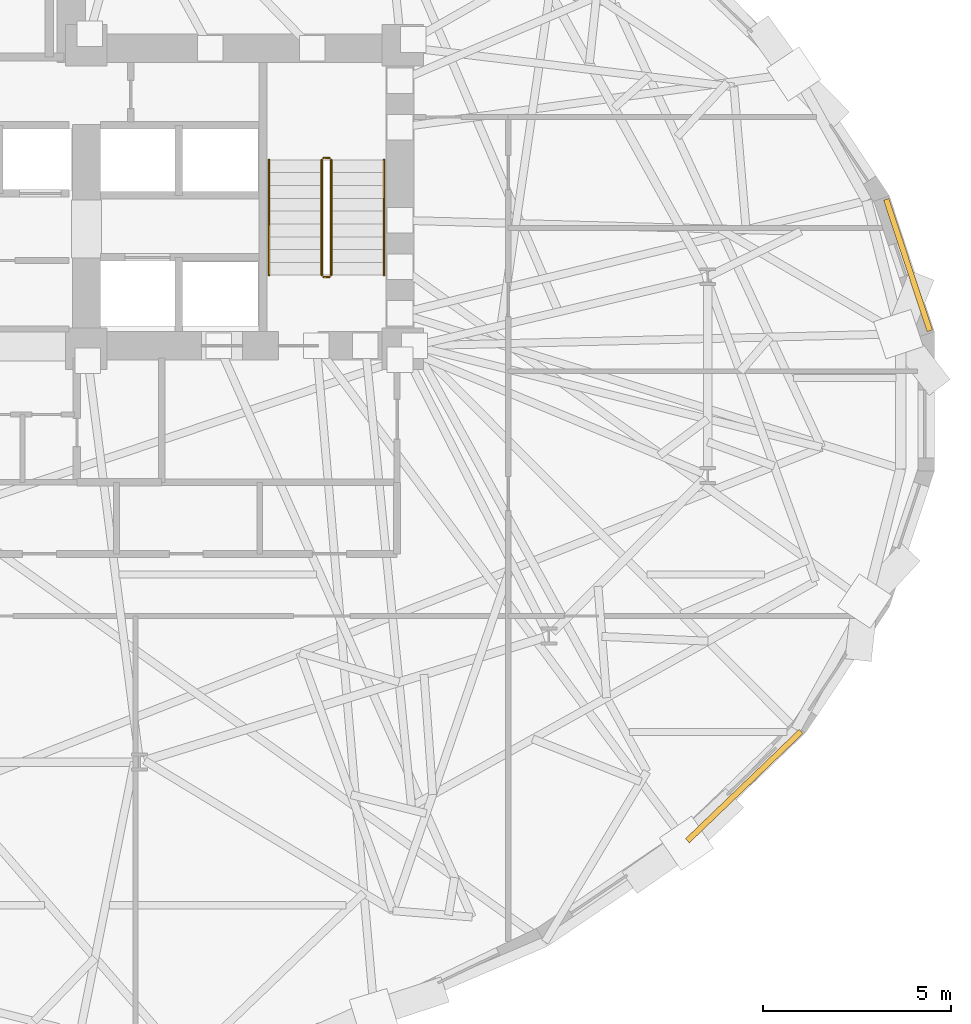
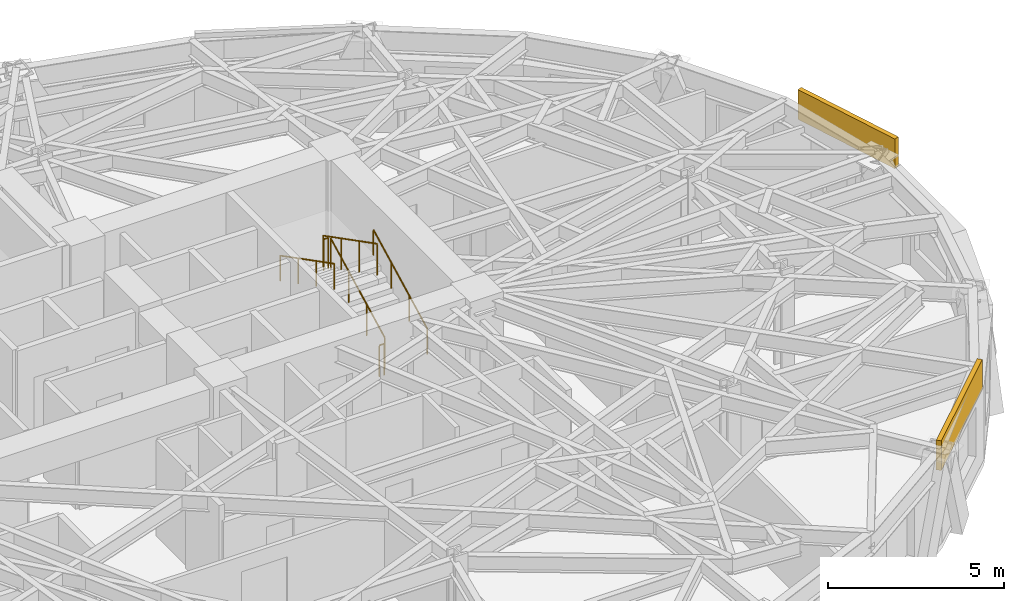
# One storey, part 14 of 15: 6 railings, 2 coverings.
"""IFC4 building model written with IfcOpenShell, lengths in metres."""

from ifc_helpers import new_model, si_unit, direction, frame, origin, origin_2d, place, context, subcontext, project, spatial, rectangle, circle, extrude, material, layer, layer_set, type_object, element, save


model = new_model("IFC4")

# Units and contexts
model_context = context("Model", 3, precision=1e-05, world=origin(), true_north=direction((0.0, 1.0)))
body_context = subcontext(model_context, "Body", "Model", "MODEL_VIEW")
ifc_project = project(units=[si_unit("LENGTHUNIT", "METRE"), si_unit("AREAUNIT", "SQUARE_METRE"), si_unit("VOLUMEUNIT", "CUBIC_METRE"), si_unit("PLANEANGLEUNIT", "RADIAN"), si_unit("MASSUNIT", "GRAM", prefix="KILO")], contexts=[model_context])

# Site, building, storey
site_placement = place(None, origin())
site = spatial("IfcSite", under=ifc_project, at=site_placement, CompositionType="ELEMENT")
building_placement = place(site_placement, origin())
building = spatial("IfcBuilding", under=site, at=building_placement, Name="Keldmark Tower", CompositionType="ELEMENT")
storey_placement = place(building_placement, frame((0.0, 0.0, 110.60009765625)))
storey = spatial("IfcBuildingStorey", under=building, at=storey_placement, Name="L29", CompositionType="ELEMENT", Elevation=110.60009765625)

# Coverings
ifc_material_1 = material(Name="Honed Kasota Buff Dolomitic Limestone", Category="masonry")
ifc_layer = layer(ifc_material_1, 0.074951171875)
ifc_layer_set = layer_set([ifc_layer], Name="Honed Kasota Buff Dolomitic Limestone")
covering_type = type_object("IfcCoveringType", Name="Kasota Buff Limestone Spandrel Cladding Band", PredefinedType="CLADDING", material=ifc_layer_set)
covering_1_placement = place(storey_placement, frame((27.0146484375, 3.617919921875, 2.45166015625), z_axis=(0.0, 0.0, 1.0), x_axis=(-0.314290711278, 0.949326787152, 0.0)))
element("IfcCovering", 1, at=covering_1_placement, inside=storey, type_object=covering_type, Name="L29 Kasota Limestone Spandrel Band 01", PredefinedType="CLADDING", context=body_context, shape_type="SweptSolid", body=[
    extrude(rectangle(XDim=3.67578125, YDim=0.14990234375, at=origin_2d()), origin(), (0.0, 0.0, 1.0), 1.028076171875),
])
covering_2_placement = place(storey_placement, frame((22.6650390625, -10.21630859375, 2.45166015625), z_axis=(0.0, 0.0, 1.0), x_axis=(0.720587417127, 0.693364099357, 0.0)))
element("IfcCovering", 2, at=covering_2_placement, inside=storey, type_object=covering_type, Name="L29 Kasota Limestone Spandrel Band 29", PredefinedType="CLADDING", context=body_context, shape_type="SweptSolid", body=[
    extrude(rectangle(XDim=4.186767578125, YDim=0.14990234375, at=origin_2d()), origin(), (0.0, 0.0, 1.0), 1.028076171875),
])

# Railings
ifc_material_2 = material(Name="Painted Steel ASTM A500 Grade B", Category="steel")
railing_type_1 = type_object("IfcRailingType", Name="Painted Steel Stair Well Guard 1100 mm", PredefinedType="GUARDRAIL", material=ifc_material_2)
railing_1_placement = place(storey_placement, frame((11.699951171875, 3.35009765625, 0.1748046875)))
element("IfcRailing", 3, at=railing_1_placement, inside=storey, type_object=railing_type_1, Name="L29 ST2 stair guard 1", PredefinedType="GUARDRAIL", context=body_context, shape_type="SweptSolid", body=[
    extrude(circle(Radius=0.02392578125, at=origin_2d()), frame((0.0, 0.0, 1.076171875), z_axis=(0.0, 0.889101422983, 0.457710235465), x_axis=(-1.0, 0.0, 0.0)), (0.0, 0.0, 1.0), 3.44140625),
    extrude(circle(Radius=0.02099609375, at=origin_2d()), origin(), (0.0, 0.0, 1.0), 1.052001953125),
    extrude(circle(Radius=0.02099609375, at=origin_2d()), frame((0.0, 1.02001953125, 0.525146484375)), (0.0, 0.0, 1.0), 1.052001953125),
    extrude(circle(Radius=0.02099609375, at=origin_2d()), frame((0.0, 2.039794921875, 1.050048828125)), (0.0, 0.0, 1.0), 1.052001953125),
    extrude(circle(Radius=0.02099609375, at=origin_2d()), frame((0.0, 3.059814453125, 1.5751953125)), (0.0, 0.0, 1.0), 1.052001953125),
])
railing_2_placement = place(storey_placement, frame((11.64990234375, 6.4599609375, 1.75)))
element("IfcRailing", 4, at=railing_2_placement, inside=storey, type_object=railing_type_1, Name="L29 ST2 stair guard 2", PredefinedType="GUARDRAIL", context=body_context, shape_type="SweptSolid", body=[
    extrude(circle(Radius=0.02392578125, at=origin_2d()), frame((0.0, 0.0, 1.076171875), z_axis=(-1.0, 0.0, 0.0), x_axis=(0.0, -1.0, 0.0)), (0.0, 0.0, 1.0), 0.14990234375),
    extrude(circle(Radius=0.02099609375, at=origin_2d()), origin(), (0.0, 0.0, 1.0), 1.052001953125),
    extrude(circle(Radius=0.02099609375, at=origin_2d()), frame((-0.14990234375, 0.0, 0.0)), (0.0, 0.0, 1.0), 1.052001953125),
])
railing_3_placement = place(storey_placement, frame((11.449951171875, 6.409912109375, 1.9248046875)))
element("IfcRailing", 5, at=railing_3_placement, inside=storey, type_object=railing_type_1, Name="L29 ST2 stair guard 3", PredefinedType="GUARDRAIL", context=body_context, shape_type="SweptSolid", body=[
    extrude(circle(Radius=0.02392578125, at=origin_2d()), frame((0.0, 0.0, 1.076171875), z_axis=(0.0, -0.889101422983, 0.457710235465), x_axis=(1.0, 0.0, 0.0)), (0.0, 0.0, 1.0), 3.44140625),
    extrude(circle(Radius=0.02099609375, at=origin_2d()), origin(), (0.0, 0.0, 1.0), 1.052001953125),
    extrude(circle(Radius=0.02099609375, at=origin_2d()), frame((0.0, -1.02001953125, 0.525146484375)), (0.0, 0.0, 1.0), 1.052001953125),
    extrude(circle(Radius=0.02099609375, at=origin_2d()), frame((0.0, -2.039794921875, 1.050048828125)), (0.0, 0.0, 1.0), 1.052001953125),
    extrude(circle(Radius=0.02099609375, at=origin_2d()), frame((0.0, -3.059814453125, 1.5751953125)), (0.0, 0.0, 1.0), 1.052001953125),
])
railing_4_placement = place(storey_placement, frame((11.64990234375, 3.300048828125, 0.0)))
element("IfcRailing", 6, at=railing_4_placement, inside=storey, type_object=railing_type_1, Name="L29 ST2 stair guard 4", PredefinedType="GUARDRAIL", context=body_context, shape_type="SweptSolid", body=[
    extrude(circle(Radius=0.02392578125, at=origin_2d()), frame((0.0, 0.0, 1.076171875), z_axis=(-1.0, 0.0, 0.0), x_axis=(0.0, -1.0, 0.0)), (0.0, 0.0, 1.0), 0.14990234375),
    extrude(circle(Radius=0.02099609375, at=origin_2d()), origin(), (0.0, 0.0, 1.0), 1.052001953125),
    extrude(circle(Radius=0.02099609375, at=origin_2d()), frame((-0.14990234375, 0.0, 0.0)), (0.0, 0.0, 1.0), 1.052001953125),
])
ifc_material_3 = material(Name="Stainless Steel AISI 316L", Category="steel")
railing_type_2 = type_object("IfcRailingType", Name="Stainless Steel Stair Handrail 900 mm", PredefinedType="HANDRAIL", material=ifc_material_3)
railing_5_placement = place(storey_placement, frame((13.10009765625, 3.35009765625, 0.1748046875)))
element("IfcRailing", 7, at=railing_5_placement, inside=storey, type_object=railing_type_2, Name="L29 ST2 stair handrail 1", PredefinedType="HANDRAIL", context=body_context, shape_type="SweptSolid", body=[
    extrude(circle(Radius=0.02392578125, at=origin_2d()), frame((0.0, 0.0, 0.8759765625), z_axis=(0.0, 0.889101422983, 0.457710235465), x_axis=(-1.0, 0.0, 0.0)), (0.0, 0.0, 1.0), 3.44140625),
    extrude(circle(Radius=0.02099609375, at=origin_2d()), origin(), (0.0, 0.0, 1.0), 0.851806640625),
    extrude(circle(Radius=0.02099609375, at=origin_2d()), frame((0.0, 1.02001953125, 0.525146484375)), (0.0, 0.0, 1.0), 0.851806640625),
    extrude(circle(Radius=0.02099609375, at=origin_2d()), frame((0.0, 2.039794921875, 1.050048828125)), (0.0, 0.0, 1.0), 0.851806640625),
    extrude(circle(Radius=0.02099609375, at=origin_2d()), frame((0.0, 3.059814453125, 1.5751953125)), (0.0, 0.0, 1.0), 0.851806640625),
])
railing_6_placement = place(storey_placement, frame((10.050048828125, 6.409912109375, 1.9248046875)))
element("IfcRailing", 8, at=railing_6_placement, inside=storey, type_object=railing_type_2, Name="L29 ST2 stair handrail 2", PredefinedType="HANDRAIL", context=body_context, shape_type="SweptSolid", body=[
    extrude(circle(Radius=0.02392578125, at=origin_2d()), frame((0.0, 0.0, 0.8759765625), z_axis=(0.0, -0.889101422983, 0.457710235465), x_axis=(1.0, 0.0, 0.0)), (0.0, 0.0, 1.0), 3.44140625),
    extrude(circle(Radius=0.02099609375, at=origin_2d()), origin(), (0.0, 0.0, 1.0), 0.851806640625),
    extrude(circle(Radius=0.02099609375, at=origin_2d()), frame((0.0, -1.02001953125, 0.525146484375)), (0.0, 0.0, 1.0), 0.851806640625),
    extrude(circle(Radius=0.02099609375, at=origin_2d()), frame((0.0, -2.039794921875, 1.050048828125)), (0.0, 0.0, 1.0), 0.851806640625),
    extrude(circle(Radius=0.02099609375, at=origin_2d()), frame((0.0, -3.059814453125, 1.5751953125)), (0.0, 0.0, 1.0), 0.851806640625),
])

save(model, "model.ifc")
